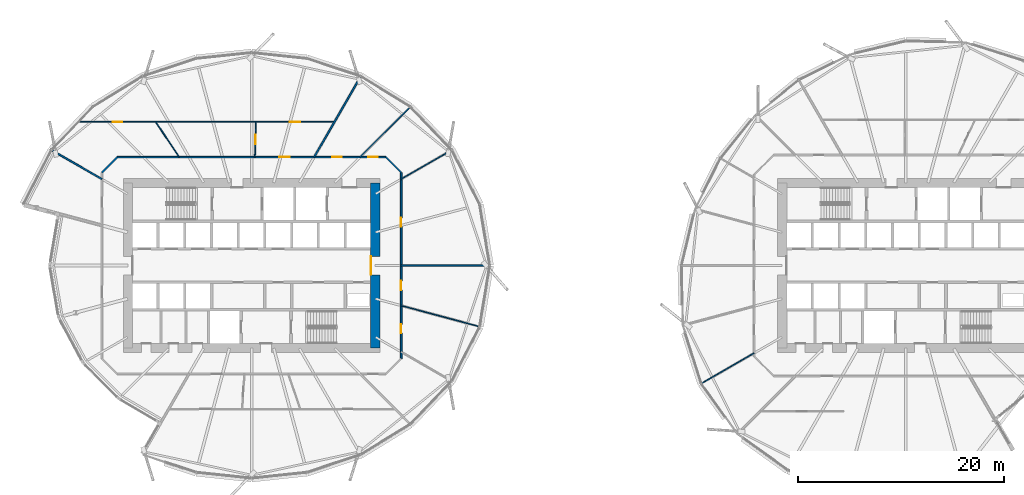
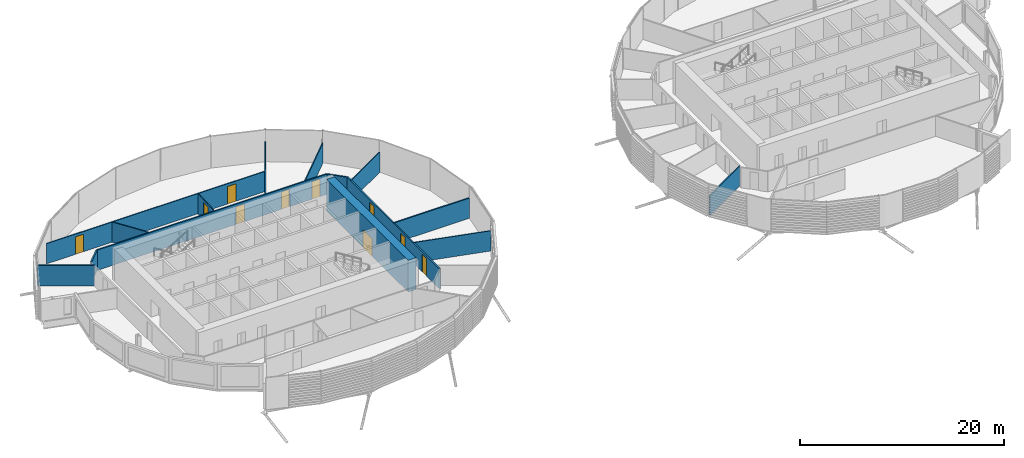
# One storey, part 23 of 37: 15 walls, 10 doors, 10 openings.
"""IFC4 building model written with IfcOpenShell, lengths in metres."""

import ifcopenshell
import ifcopenshell.guid

model = None  # the IFC model being written
_history = None  # IfcOwnerHistory: only IFC2X3 demands one
_inside = {}  # id of a spatial element -> (the spatial element, [elements in it])
_under = {}  # id of a project, library or spatial element -> (it, [spatial elements below it])
_declared = {}  # id of a project -> (the project, [libraries it declares])
_typed = {}  # id of a type object -> (the type object, [elements of that type])
_made_of = {}  # id of a material, layer set ... -> (it, [elements and type objects made of it])


def new_model(schema):
    """Start an empty IFC model of exactly this schema.

    Asked for "IFC4X3", IfcOpenShell would pick the latest addendum, in which some entities
    have other attributes; the version numbers below select the first issue.
    IFC2X3 requires an IfcOwnerHistory on every rooted entity: one is made here for all.
    """
    global model, _history
    if schema == "IFC4X3":
        model = ifcopenshell.file(schema_version=(4, 3, 0, 0))
    else:
        model = ifcopenshell.file(schema=schema)
    _inside.clear()
    _under.clear()
    _declared.clear()
    _typed.clear()
    _made_of.clear()
    _history = None
    if model.schema == "IFC2X3":
        org = make("IfcOrganization", Name="unknown")
        user = make(
            "IfcPersonAndOrganization",
            ThePerson=make("IfcPerson", FamilyName="unknown"),
            TheOrganization=org,
        )
        app = make(
            "IfcApplication",
            ApplicationDeveloper=org,
            Version="unknown",
            ApplicationFullName="unknown",
            ApplicationIdentifier="unknown",
        )
        _history = make(
            "IfcOwnerHistory",
            OwningUser=user,
            OwningApplication=app,
            ChangeAction="ADDED",
            CreationDate=0,
        )
    return model


def make(cls, **values):
    """One entity of the class cls with the attributes given. An attribute that is None is left unset."""
    return model.create_entity(
        cls, **{name: value for name, value in values.items() if value is not None}
    )


def rooted(cls, **values):
    """An entity with a GlobalId (a new one), such as an element, a storey or a relation."""
    return make(cls, GlobalId=ifcopenshell.guid.new(), OwnerHistory=_history, **values)


def si_unit(unit_type, name, prefix=None):
    """IfcSIUnit, for example si_unit("LENGTHUNIT", "METRE", prefix="MILLI")."""
    return make("IfcSIUnit", UnitType=unit_type, Prefix=prefix, Name=name)


def assignment(units):
    """IfcUnitAssignment: the units of a project."""
    return None if units is None else make("IfcUnitAssignment", Units=units)


def point(xyz):
    """IfcCartesianPoint."""
    return None if xyz is None else make("IfcCartesianPoint", Coordinates=xyz)


def direction(xyz):
    """IfcDirection."""
    return None if xyz is None else make("IfcDirection", DirectionRatios=xyz)


def frame(location, z_axis=None, x_axis=None):
    """IfcAxis2Placement3D, a coordinate frame: its origin and axes. An axis left out is left unset."""
    return make(
        "IfcAxis2Placement3D",
        Location=point(location),
        Axis=direction(z_axis),
        RefDirection=direction(x_axis),
    )


def frame_2d(location, x_axis=None):
    """IfcAxis2Placement2D, a coordinate frame in the plane: its origin and x axis."""
    return make(
        "IfcAxis2Placement2D", Location=point(location), RefDirection=direction(x_axis)
    )


def origin():
    """The frame at (0, 0, 0) with its axes left unset."""
    return frame((0.0, 0.0, 0.0))


def place(relative_to, where):
    """IfcLocalPlacement: puts the frame where relative to a parent placement (None: the world)."""
    return make(
        "IfcLocalPlacement", PlacementRelTo=relative_to, RelativePlacement=where
    )


def context(
    kind, dimensions, precision=None, world=None, true_north=None, identifier=None
):
    """IfcGeometricRepresentationContext, for example the 3D "Model" context."""
    return make(
        "IfcGeometricRepresentationContext",
        ContextIdentifier=identifier,
        ContextType=kind,
        CoordinateSpaceDimension=dimensions,
        Precision=precision,
        WorldCoordinateSystem=world,
        TrueNorth=true_north,
    )


def subcontext(parent, identifier, kind, view, scale=None):
    """IfcGeometricRepresentationSubContext, for example "Body" below "Model"."""
    return make(
        "IfcGeometricRepresentationSubContext",
        ContextIdentifier=identifier,
        ContextType=kind,
        ParentContext=parent,
        TargetScale=scale,
        TargetView=view,
    )


def project(units=None, contexts=None):
    """IfcProject with its units and contexts."""
    return rooted(
        "IfcProject",
        Name="project",
        RepresentationContexts=contexts,
        UnitsInContext=assignment(units),
    )


def spatial(cls, under=None, at=None, **own):
    """A site, building, storey or space (cls), placed at a placement, below another one or the project."""
    s = rooted(cls, ObjectPlacement=at, **own)
    if under is not None:
        _under.setdefault(under.id(), (under, []))[1].append(s)
    return s


def profile(cls, at=None, kind="AREA", **sizes):
    """A parametric profile (cls). Its sizes go by their IFC names, for example OverallWidth=200.0."""
    return make(cls, ProfileType=kind, Position=at, **sizes)


def rectangle(**sizes):
    """IfcRectangleProfileDef."""
    return profile("IfcRectangleProfileDef", **sizes)


def extrude(swept, where, along, depth):
    """IfcExtrudedAreaSolid: the profile swept, set in the frame where, extruded along a direction by depth."""
    return make(
        "IfcExtrudedAreaSolid",
        SweptArea=swept,
        Position=where,
        ExtrudedDirection=direction(along),
        Depth=depth,
    )


def shape(context_of_items, identifier, shape_type, items):
    """IfcShapeRepresentation: the items that make up one representation, for example the "Body"."""
    return make(
        "IfcShapeRepresentation",
        ContextOfItems=context_of_items,
        RepresentationIdentifier=identifier,
        RepresentationType=shape_type,
        Items=items,
    )


def material(Name=None, Category=None):
    """IfcMaterial."""
    return make("IfcMaterial", Name=Name, Category=Category)


def layer(
    of_material, thickness, ventilated=None, Name=None, Category=None, Priority=None
):
    """IfcMaterialLayer: one layer of a wall or slab, of a material (None: an air gap)."""
    return make(
        "IfcMaterialLayer",
        Material=of_material,
        LayerThickness=thickness,
        IsVentilated=ventilated,
        Name=Name,
        Category=Category,
        Priority=Priority,
    )


def layer_set(layers, Name=None):
    """IfcMaterialLayerSet."""
    return make("IfcMaterialLayerSet", MaterialLayers=layers, LayerSetName=Name)


def made_of(thing, what):
    """Note that an element or type object is made of a material, layer set ...; save() writes the relation."""
    if what is not None:
        _made_of.setdefault(what.id(), (what, []))[1].append(thing)
    return thing


def type_object(cls, material=None, **own):
    """A type object (cls), such as IfcWallType, which elements share."""
    return made_of(rooted(cls, **own), material)


def element(
    cls,
    number,
    at=None,
    inside=None,
    cuts=None,
    type_object=None,
    material=None,
    context=None,
    identifier="Body",
    shape_type=None,
    held_by="IfcProductDefinitionShape",
    body=None,
    shapes=None,
    **own,
):
    """One element of the class cls, such as IfcWall. Its Tag is "e" and its number.

    at: its placement. inside: the storey or other place that contains it. cuts: it is an
    opening in that element (IfcRelVoidsElement). A single representation is given by context,
    identifier, shape_type and body (its items); several are given by shapes. held_by: the class
    of the entity that holds the representations. save() writes the other relations.
    """
    e = rooted(cls, Tag="e%d" % number, ObjectPlacement=at, **own)
    if body is not None:
        shapes = [shape(context, identifier, shape_type, body)]
    if shapes is not None:
        e.Representation = make(held_by, Representations=shapes)
    if inside is not None:
        _inside.setdefault(inside.id(), (inside, []))[1].append(e)
    if cuts is not None:
        rooted(
            "IfcRelVoidsElement", RelatingBuildingElement=cuts, RelatedOpeningElement=e
        )
    if type_object is not None:
        _typed.setdefault(type_object.id(), (type_object, []))[1].append(e)
    return made_of(e, material)


def fill(opening, filler):
    """IfcRelFillsElement: the door or window that sits in an opening."""
    return rooted(
        "IfcRelFillsElement",
        RelatingOpeningElement=opening,
        RelatedBuildingElement=filler,
    )


def aggregate(whole, parts):
    """IfcRelAggregates: a whole, such as a stair, and the parts it consists of."""
    return rooted("IfcRelAggregates", RelatingObject=whole, RelatedObjects=parts)


def save(model, path):
    """Write the relations noted so far, then the file.

    IfcRelAggregates (storeys below a building ...), IfcRelContainedInSpatialStructure (elements
    in a storey), IfcRelDefinesByType, IfcRelAssociatesMaterial and IfcRelDeclares: one each for
    every whole, place, type object, material and project.
    """
    for whole, parts in _under.values():
        aggregate(whole, parts)
    for where, things in _inside.values():
        rooted(
            "IfcRelContainedInSpatialStructure",
            RelatedElements=things,
            RelatingStructure=where,
        )
    for kind, things in _typed.values():
        rooted("IfcRelDefinesByType", RelatedObjects=things, RelatingType=kind)
    for what, things in _made_of.values():
        rooted("IfcRelAssociatesMaterial", RelatedObjects=things, RelatingMaterial=what)
    for by, libraries in _declared.values():
        rooted("IfcRelDeclares", RelatingContext=by, RelatedDefinitions=libraries)
    model.write(path)


model = new_model("IFC4")

# Units and contexts
model_context = context("Model", 3, precision=1e-05, world=origin(), true_north=direction((0.0, 1.0)))
body_context = subcontext(model_context, "Body", "Model", "MODEL_VIEW")
ifc_project = project(units=[si_unit("LENGTHUNIT", "METRE"), si_unit("AREAUNIT", "SQUARE_METRE"), si_unit("VOLUMEUNIT", "CUBIC_METRE"), si_unit("PLANEANGLEUNIT", "RADIAN"), si_unit("MASSUNIT", "GRAM", prefix="KILO")], contexts=[model_context])

# Site, building, storey
site_placement = place(None, origin())
site = spatial("IfcSite", under=ifc_project, at=site_placement, CompositionType="ELEMENT")
building_placement = place(site_placement, origin())
building = spatial("IfcBuilding", under=site, at=building_placement, Name="Rimbun Link Towers", CompositionType="ELEMENT")
storey_placement = place(building_placement, frame((0.0, 0.0, 60.39990234375)))
storey = spatial("IfcBuildingStorey", under=building, at=storey_placement, Name="L14", CompositionType="ELEMENT", Elevation=60.39990234375)

# Wall, opening, door
ifc_material_1 = material(Name="Concrete C60/75", Category="concrete")
ifc_layer_1 = layer(ifc_material_1, 0.89990234375)
ifc_layer_set_1 = layer_set([ifc_layer_1], Name="Core shear wall 900")
wall_type_1 = type_object("IfcWallType", Name="Core shear wall 900", PredefinedType="SHEAR", material=ifc_layer_set_1)
wall_1_placement = place(storey_placement, frame((-19.75, -8.0, 0.0), z_axis=(0.0, 0.0, 1.0), x_axis=(0.0, 1.0, 0.0)))
wall_1 = element("IfcWall", 1, at=wall_1_placement, inside=storey, type_object=wall_type_1, Name="L14 T1 core wall E", PredefinedType="SHEAR", context=body_context, shape_type="SweptSolid", body=[
    extrude(rectangle(XDim=16.0, YDim=0.89990234375, at=frame_2d((8.0, 0.0))), origin(), (0.0, 0.0, 1.0), 3.800048828125),
])
opening_1_placement = place(wall_1_placement, frame((7.10009765625, 0.0, 0.0)))
opening_1 = element("IfcOpeningElement", 2, at=opening_1_placement, cuts=wall_1, Name="Opening C1DCL01E", PredefinedType="OPENING", context=body_context, shape_type="SweptSolid", body=[
    extrude(rectangle(XDim=1.800048828125, YDim=2.10009765625, at=frame_2d((0.89990234375, 1.050048828125))), frame((0.0, 0.4599609375, 0.0), z_axis=(0.0, -1.0, 0.0), x_axis=(1.0, 0.0, 0.0)), (0.0, 0.0, 1.0), 0.919921875),
])
ifc_material_2 = material(Name="Steel fire door set", Category="steel")
door_type_1 = type_object("IfcDoorType", Name="Core lobby door double", OperationType="DOUBLE_DOOR_SINGLE_SWING", PredefinedType="DOOR", material=ifc_material_2)
door_1_placement = place(opening_1_placement, origin())
door_1 = element("IfcDoor", 3, at=door_1_placement, inside=storey, type_object=door_type_1, Name="L14 T1 lift lobby door", OperationType="DOUBLE_DOOR_SINGLE_SWING", OverallHeight=2.10009765625, OverallWidth=1.800048828125, PredefinedType="DOOR", context=body_context, shape_type="SweptSolid", body=[
    extrude(rectangle(XDim=1.800048828125, YDim=2.10009765625, at=frame_2d((0.89990234375, 1.050048828125))), frame((0.0, 0.4501953125, 0.0), z_axis=(0.0, -1.0, 0.0), x_axis=(1.0, 0.0, 0.0)), (0.0, 0.0, 1.0), 0.050048828125),
])
fill(opening_1, door_1)

# Wall, openings, doors
ifc_material_3 = material(Name="Plasterboard on steel stud, mineral wool", Category="steel")
ifc_layer_2 = layer(ifc_material_3, 0.14990234375)
ifc_layer_set_2 = layer_set([ifc_layer_2], Name="Corridor wall EI 30 150 mm")
wall_type_2 = type_object("IfcWallType", Name="Corridor wall EI 30 150 mm", PredefinedType="PARTITIONING", material=ifc_layer_set_2)
wall_2_placement = place(storey_placement, frame((-44.776611328125, 10.52490234375, 0.0), z_axis=(0.0, 0.0, 1.0), x_axis=(1.0, 0.0, 0.0)))
wall_2 = element("IfcWall", 4, at=wall_2_placement, inside=storey, type_object=wall_type_2, Name="Corridor wall EI 30 150 mm", PredefinedType="PARTITIONING", context=body_context, shape_type="SweptSolid", body=[
    extrude(rectangle(XDim=26.05322265625, YDim=0.14990234375, at=frame_2d((13.026611328125, 0.0))), origin(), (0.0, 0.0, 1.0), 2.420166015625),
])
opening_2_placement = place(wall_2_placement, frame((24.3525390625, 0.0, 0.0)))
opening_2 = element("IfcOpeningElement", 5, at=opening_2_placement, cuts=wall_2, Name="Opening D02", PredefinedType="OPENING", context=body_context, shape_type="SweptSolid", body=[
    extrude(rectangle(XDim=0.89990234375, YDim=2.10009765625, at=frame_2d((0.449951171875, 1.050048828125))), frame((0.0, 0.0849609375, 0.0), z_axis=(0.0, -1.0, 0.0), x_axis=(1.0, 0.0, 0.0)), (0.0, 0.0, 1.0), 0.169921875),
])
opening_3_placement = place(wall_2_placement, frame((20.87744140625, 0.0, 0.0)))
opening_3 = element("IfcOpeningElement", 6, at=opening_3_placement, cuts=wall_2, Name="Opening D02", PredefinedType="OPENING", context=body_context, shape_type="SweptSolid", body=[
    extrude(rectangle(XDim=0.89990234375, YDim=2.10009765625, at=frame_2d((0.449951171875, 1.050048828125))), frame((0.0, 0.0849609375, 0.0), z_axis=(0.0, -1.0, 0.0), x_axis=(1.0, 0.0, 0.0)), (0.0, 0.0, 1.0), 0.169921875),
])
opening_4_placement = place(wall_2_placement, frame((15.727294921875, 0.0, 0.0)))
opening_4 = element("IfcOpeningElement", 7, at=opening_4_placement, cuts=wall_2, Name="Opening D01", PredefinedType="OPENING", context=body_context, shape_type="SweptSolid", body=[
    extrude(rectangle(XDim=1.0, YDim=2.10009765625, at=frame_2d((0.5, 1.050048828125))), frame((0.0, 0.0849609375, 0.0), z_axis=(0.0, -1.0, 0.0), x_axis=(1.0, 0.0, 0.0)), (0.0, 0.0, 1.0), 0.169921875),
])
ifc_material_4 = material(Name="Fire-resisting timber door leaf", Category="wood")
door_type_2 = type_object("IfcDoorType", Name="Fire door FD30S 1000", OperationType="NOTDEFINED", PredefinedType="DOOR", material=ifc_material_4)
door_2_placement = place(opening_4_placement, origin())
door_2 = element("IfcDoor", 8, at=door_2_placement, inside=storey, type_object=door_type_2, Name="Fire door FD30S 1000 to Reception", OperationType="SINGLE_SWING_RIGHT", OverallHeight=2.10009765625, OverallWidth=1.0, PredefinedType="DOOR", context=body_context, shape_type="SweptSolid", body=[
    extrude(rectangle(XDim=1.0, YDim=2.10009765625, at=frame_2d((0.5, 1.050048828125))), frame((0.0, 0.02490234375, 0.0), z_axis=(0.0, -1.0, 0.0), x_axis=(1.0, 0.0, 0.0)), (0.0, 0.0, 1.0), 0.050048828125),
])
fill(opening_4, door_2)
ifc_material_5 = material(Name="Fire-resisting timber door leaf", Category="wood")
door_type_3 = type_object("IfcDoorType", Name="Fire door FD30S 900", OperationType="NOTDEFINED", PredefinedType="DOOR", material=ifc_material_5)
door_3_placement = place(opening_2_placement, origin())
door_3 = element("IfcDoor", 9, at=door_3_placement, inside=storey, type_object=door_type_3, Name="Fire door FD30S 900 to Cellular office", OperationType="SINGLE_SWING_RIGHT", OverallHeight=2.10009765625, OverallWidth=0.89990234375, PredefinedType="DOOR", context=body_context, shape_type="SweptSolid", body=[
    extrude(rectangle(XDim=0.89990234375, YDim=2.10009765625, at=frame_2d((0.449951171875, 1.050048828125))), frame((0.0, 0.02490234375, 0.0), z_axis=(0.0, -1.0, 0.0), x_axis=(1.0, 0.0, 0.0)), (0.0, 0.0, 1.0), 0.050048828125),
])
fill(opening_2, door_3)
door_4_placement = place(opening_3_placement, origin())
door_4 = element("IfcDoor", 10, at=door_4_placement, inside=storey, type_object=door_type_3, Name="Fire door FD30S 900 to Meeting room", OperationType="SINGLE_SWING_LEFT", OverallHeight=2.10009765625, OverallWidth=0.89990234375, PredefinedType="DOOR", context=body_context, shape_type="SweptSolid", body=[
    extrude(rectangle(XDim=0.89990234375, YDim=2.10009765625, at=frame_2d((0.449951171875, 1.050048828125))), frame((0.0, 0.02490234375, 0.0), z_axis=(0.0, -1.0, 0.0), x_axis=(1.0, 0.0, 0.0)), (0.0, 0.0, 1.0), 0.050048828125),
])
fill(opening_3, door_4)

# Wall
wall_3_placement = place(storey_placement, frame((-17.22509765625, 9.026611328125, 0.0), z_axis=(0.0, 0.0, 1.0), x_axis=(-0.707106781187, 0.707106781187, 0.0)))
element("IfcWall", 11, at=wall_3_placement, inside=storey, type_object=wall_type_2, Name="Corridor wall EI 30 150 mm", PredefinedType="PARTITIONING", context=body_context, shape_type="SweptSolid", body=[
    extrude(rectangle(XDim=2.118896484375, YDim=0.14990234375, at=frame_2d((1.0595703125, 0.0))), origin(), (0.0, 0.0, 1.0), 2.420166015625),
])

# Wall, openings, doors
wall_4_placement = place(storey_placement, frame((-17.22509765625, 9.026611328125, 0.0), z_axis=(0.0, 0.0, 1.0), x_axis=(0.0, -1.0, 0.0)))
wall_4 = element("IfcWall", 12, at=wall_4_placement, inside=storey, type_object=wall_type_2, Name="Corridor wall EI 30 150 mm", PredefinedType="PARTITIONING", context=body_context, shape_type="SweptSolid", body=[
    extrude(rectangle(XDim=18.05322265625, YDim=0.14990234375, at=frame_2d((9.026611328125, 0.0))), origin(), (0.0, 0.0, 1.0), 2.420166015625),
])
opening_5_placement = place(wall_4_placement, frame((14.7158203125, 0.0, 0.0)))
opening_5 = element("IfcOpeningElement", 13, at=opening_5_placement, cuts=wall_4, Name="Opening D02", PredefinedType="OPENING", context=body_context, shape_type="SweptSolid", body=[
    extrude(rectangle(XDim=0.89990234375, YDim=2.10009765625, at=frame_2d((0.449951171875, 1.050048828125))), frame((0.0, 0.0849609375, 0.0), z_axis=(0.0, -1.0, 0.0), x_axis=(1.0, 0.0, 0.0)), (0.0, 0.0, 1.0), 0.169921875),
])
opening_6_placement = place(wall_4_placement, frame((10.522705078125, 0.0, 0.0)))
opening_6 = element("IfcOpeningElement", 14, at=opening_6_placement, cuts=wall_4, Name="Opening D02", PredefinedType="OPENING", context=body_context, shape_type="SweptSolid", body=[
    extrude(rectangle(XDim=0.89990234375, YDim=2.10009765625, at=frame_2d((0.449951171875, 1.050048828125))), frame((0.0, 0.0849609375, 0.0), z_axis=(0.0, -1.0, 0.0), x_axis=(1.0, 0.0, 0.0)), (0.0, 0.0, 1.0), 0.169921875),
])
opening_7_placement = place(wall_4_placement, frame((4.3837890625, 0.0, 0.0)))
opening_7 = element("IfcOpeningElement", 15, at=opening_7_placement, cuts=wall_4, Name="Opening D02", PredefinedType="OPENING", context=body_context, shape_type="SweptSolid", body=[
    extrude(rectangle(XDim=0.89990234375, YDim=2.10009765625, at=frame_2d((0.449951171875, 1.050048828125))), frame((0.0, 0.0849609375, 0.0), z_axis=(0.0, -1.0, 0.0), x_axis=(1.0, 0.0, 0.0)), (0.0, 0.0, 1.0), 0.169921875),
])
door_5_placement = place(opening_5_placement, origin())
door_5 = element("IfcDoor", 16, at=door_5_placement, inside=storey, type_object=door_type_3, Name="Fire door FD30S 900 to Meeting room", OperationType="SINGLE_SWING_LEFT", OverallHeight=2.10009765625, OverallWidth=0.89990234375, PredefinedType="DOOR", context=body_context, shape_type="SweptSolid", body=[
    extrude(rectangle(XDim=0.89990234375, YDim=2.10009765625, at=frame_2d((0.449951171875, 1.050048828125))), frame((0.0, 0.02490234375, 0.0), z_axis=(0.0, -1.0, 0.0), x_axis=(1.0, 0.0, 0.0)), (0.0, 0.0, 1.0), 0.050048828125),
])
fill(opening_5, door_5)
door_6_placement = place(opening_6_placement, origin())
door_6 = element("IfcDoor", 17, at=door_6_placement, inside=storey, type_object=door_type_3, Name="Fire door FD30S 900 to Meeting room", OperationType="SINGLE_SWING_RIGHT", OverallHeight=2.10009765625, OverallWidth=0.89990234375, PredefinedType="DOOR", context=body_context, shape_type="SweptSolid", body=[
    extrude(rectangle(XDim=0.89990234375, YDim=2.10009765625, at=frame_2d((0.449951171875, 1.050048828125))), frame((0.0, 0.02490234375, 0.0), z_axis=(0.0, -1.0, 0.0), x_axis=(1.0, 0.0, 0.0)), (0.0, 0.0, 1.0), 0.050048828125),
])
fill(opening_6, door_6)
door_7_placement = place(opening_7_placement, origin())
door_7 = element("IfcDoor", 18, at=door_7_placement, inside=storey, type_object=door_type_3, Name="Fire door FD30S 900 to Cellular office", OperationType="SINGLE_SWING_LEFT", OverallHeight=2.10009765625, OverallWidth=0.89990234375, PredefinedType="DOOR", context=body_context, shape_type="SweptSolid", body=[
    extrude(rectangle(XDim=0.89990234375, YDim=2.10009765625, at=frame_2d((0.449951171875, 1.050048828125))), frame((0.0, 0.02490234375, 0.0), z_axis=(0.0, -1.0, 0.0), x_axis=(1.0, 0.0, 0.0)), (0.0, 0.0, 1.0), 0.050048828125),
])
fill(opening_7, door_7)

# Walls
wall_5_placement = place(storey_placement, frame((-44.776611328125, 10.52490234375, 0.0), z_axis=(0.0, 0.0, 1.0), x_axis=(-0.707106781187, -0.707106781187, 0.0)))
element("IfcWall", 19, at=wall_5_placement, inside=storey, type_object=wall_type_2, Name="Corridor wall EI 30 150 mm", PredefinedType="PARTITIONING", context=body_context, shape_type="SweptSolid", body=[
    extrude(rectangle(XDim=2.118896484375, YDim=0.14990234375, at=frame_2d((1.0595703125, 0.0))), origin(), (0.0, 0.0, 1.0), 2.420166015625),
])
ifc_material_6 = material(Name="Plasterboard on steel stud", Category="steel")
ifc_layer_3 = layer(ifc_material_6, 0.10009765625)
ifc_layer_set_3 = layer_set([ifc_layer_3], Name="Plasterboard partition 100 mm")
wall_type_3 = type_object("IfcWallType", Name="Plasterboard partition 100 mm", PredefinedType="PARTITIONING", material=ifc_layer_set_3)
wall_6_placement = place(storey_placement, frame((-9.652587890625, -5.9208984375, 0.0), z_axis=(0.0, 0.0, 1.0), x_axis=(-0.965933456467, 0.258790567213, 0.0)))
element("IfcWall", 20, at=wall_6_placement, inside=storey, type_object=wall_type_3, Name="Plasterboard partition 100 mm", PredefinedType="PARTITIONING", context=body_context, shape_type="SweptSolid", body=[
    extrude(rectangle(XDim=7.839599609375, YDim=0.10009765625, at=frame_2d((3.919921875, 0.0))), origin(), (0.0, 0.0, 1.0), 2.420166015625),
])
wall_7_placement = place(storey_placement, frame((-12.37646484375, 11.185302734375, 0.0), z_axis=(0.0, 0.0, 1.0), x_axis=(-0.866028733576, -0.499994232587, 0.0)))
element("IfcWall", 21, at=wall_7_placement, inside=storey, type_object=wall_type_3, Name="Plasterboard partition 100 mm", PredefinedType="PARTITIONING", context=body_context, shape_type="SweptSolid", body=[
    extrude(rectangle(XDim=5.5986328125, YDim=0.10009765625, at=frame_2d((2.79931640625, 0.0))), origin(), (0.0, 0.0, 1.0), 2.420166015625),
])
wall_8_placement = place(storey_placement, frame((-16.384521484375, 15.365478515625, 0.0), z_axis=(0.0, 0.0, 1.0), x_axis=(-0.707106781187, -0.707106781187, 0.0)))
element("IfcWall", 22, at=wall_8_placement, inside=storey, type_object=wall_type_3, Name="Plasterboard partition 100 mm", PredefinedType="PARTITIONING", context=body_context, shape_type="SweptSolid", body=[
    extrude(rectangle(XDim=6.845703125, YDim=0.10009765625, at=frame_2d((3.4228515625, 0.0))), origin(), (0.0, 0.0, 1.0), 2.420166015625),
])

# Wall, opening, door
wall_9_placement = place(storey_placement, frame((-31.425537109375, 10.52490234375, 0.0), z_axis=(0.0, 0.0, 1.0), x_axis=(0.030751385874, 0.999527064299, 0.0)))
wall_9 = element("IfcWall", 23, at=wall_9_placement, inside=storey, type_object=wall_type_3, Name="Plasterboard partition 100 mm", PredefinedType="PARTITIONING", context=body_context, shape_type="SweptSolid", body=[
    extrude(rectangle(XDim=3.421875, YDim=0.10009765625, at=frame_2d((1.7109375, 0.0))), origin(), (0.0, 0.0, 1.0), 2.420166015625),
])
opening_8_placement = place(wall_9_placement, frame((1.2607421875, 0.0, 0.0)))
opening_8 = element("IfcOpeningElement", 24, at=opening_8_placement, cuts=wall_9, Name="Opening D04", PredefinedType="OPENING", context=body_context, shape_type="SweptSolid", body=[
    extrude(rectangle(XDim=0.89990234375, YDim=2.10009765625, at=frame_2d((0.449951171875, 1.050048828125))), frame((0.0, 0.06005859375, 0.0), z_axis=(0.0, -1.0, 0.0), x_axis=(1.0, 0.0, 0.0)), (0.0, 0.0, 1.0), 0.1201171875),
])
ifc_material_7 = material(Name="Timber door leaf", Category="wood")
door_type_4 = type_object("IfcDoorType", Name="Flush door 900", OperationType="NOTDEFINED", PredefinedType="DOOR", material=ifc_material_7)
door_8_placement = place(opening_8_placement, origin())
door_8 = element("IfcDoor", 25, at=door_8_placement, inside=storey, type_object=door_type_4, Name="Flush door 900 to Meeting room", OperationType="SINGLE_SWING_LEFT", OverallHeight=2.10009765625, OverallWidth=0.89990234375, PredefinedType="DOOR", context=body_context, shape_type="SweptSolid", body=[
    extrude(rectangle(XDim=0.89990234375, YDim=2.10009765625, at=frame_2d((0.449951171875, 1.050048828125))), frame((0.0, 0.02490234375, 0.0), z_axis=(0.0, -1.0, 0.0), x_axis=(1.0, 0.0, 0.0)), (0.0, 0.0, 1.0), 0.050048828125),
])
fill(opening_8, door_8)

# Wall, openings, doors
wall_10_placement = place(storey_placement, frame((-48.4775390625, 13.945068359375, 0.0), z_axis=(0.0, 0.0, 1.0), x_axis=(1.0, 0.0, 0.0)))
wall_10 = element("IfcWall", 26, at=wall_10_placement, inside=storey, type_object=wall_type_3, Name="Plasterboard partition 100 mm", PredefinedType="PARTITIONING", context=body_context, shape_type="SweptSolid", body=[
    extrude(rectangle(XDim=24.77880859375, YDim=0.10009765625, at=frame_2d((12.389404296875, 0.0))), origin(), (0.0, 0.0, 1.0), 2.420166015625),
])
opening_9_placement = place(wall_10_placement, frame((20.453125, 0.0, 0.0)))
opening_9 = element("IfcOpeningElement", 27, at=opening_9_placement, cuts=wall_10, Name="Opening D03", PredefinedType="OPENING", context=body_context, shape_type="SweptSolid", body=[
    extrude(rectangle(XDim=1.0, YDim=2.10009765625, at=frame_2d((0.5, 1.050048828125))), frame((0.0, 0.06005859375, 0.0), z_axis=(0.0, -1.0, 0.0), x_axis=(1.0, 0.0, 0.0)), (0.0, 0.0, 1.0), 0.1201171875),
])
opening_10_placement = place(wall_10_placement, frame((3.258544921875, 0.0, 0.0)))
opening_10 = element("IfcOpeningElement", 28, at=opening_10_placement, cuts=wall_10, Name="Opening D04", PredefinedType="OPENING", context=body_context, shape_type="SweptSolid", body=[
    extrude(rectangle(XDim=0.89990234375, YDim=2.10009765625, at=frame_2d((0.449951171875, 1.050048828125))), frame((0.0, 0.06005859375, 0.0), z_axis=(0.0, -1.0, 0.0), x_axis=(1.0, 0.0, 0.0)), (0.0, 0.0, 1.0), 0.1201171875),
])
ifc_material_8 = material(Name="Timber door leaf", Category="wood")
door_type_5 = type_object("IfcDoorType", Name="Flush door 1000", OperationType="NOTDEFINED", PredefinedType="DOOR", material=ifc_material_8)
door_9_placement = place(opening_9_placement, origin())
door_9 = element("IfcDoor", 29, at=door_9_placement, inside=storey, type_object=door_type_5, Name="Flush door 1000 to Open office", OperationType="SINGLE_SWING_RIGHT", OverallHeight=2.10009765625, OverallWidth=1.0, PredefinedType="DOOR", context=body_context, shape_type="SweptSolid", body=[
    extrude(rectangle(XDim=1.0, YDim=2.10009765625, at=frame_2d((0.5, 1.050048828125))), frame((0.0, 0.02490234375, 0.0), z_axis=(0.0, -1.0, 0.0), x_axis=(1.0, 0.0, 0.0)), (0.0, 0.0, 1.0), 0.050048828125),
])
fill(opening_9, door_9)
door_10_placement = place(opening_10_placement, origin())
door_10 = element("IfcDoor", 30, at=door_10_placement, inside=storey, type_object=door_type_4, Name="Flush door 900 to Print room", OperationType="SINGLE_SWING_RIGHT", OverallHeight=2.10009765625, OverallWidth=0.89990234375, PredefinedType="DOOR", context=body_context, shape_type="SweptSolid", body=[
    extrude(rectangle(XDim=0.89990234375, YDim=2.10009765625, at=frame_2d((0.449951171875, 1.050048828125))), frame((0.0, 0.02490234375, 0.0), z_axis=(0.0, -1.0, 0.0), x_axis=(1.0, 0.0, 0.0)), (0.0, 0.0, 1.0), 0.050048828125),
])
fill(opening_10, door_10)

# Walls
wall_11_placement = place(storey_placement, frame((-41.060302734375, 13.945068359375, 0.0), z_axis=(0.0, 0.0, 1.0), x_axis=(0.555220709809, -0.831703050012, 0.0)))
element("IfcWall", 31, at=wall_11_placement, inside=storey, type_object=wall_type_3, Name="Plasterboard partition 100 mm", PredefinedType="PARTITIONING", context=body_context, shape_type="SweptSolid", body=[
    extrude(rectangle(XDim=4.1123046875, YDim=0.10009765625, at=frame_2d((2.05615234375, 0.0))), origin(), (0.0, 0.0, 1.0), 2.420166015625),
])
wall_12_placement = place(storey_placement, frame((11.93798828125, -11.4384765625, 0.0), z_axis=(0.0, 0.0, 1.0), x_axis=(0.866019468283, 0.500010280449, 0.0)))
element("IfcWall", 32, at=wall_12_placement, inside=storey, type_object=wall_type_3, Name="Plasterboard partition 100 mm", PredefinedType="PARTITIONING", context=body_context, shape_type="SweptSolid", body=[
    extrude(rectangle(XDim=5.8740234375, YDim=0.10009765625, at=frame_2d((2.93701171875, 0.0))), origin(), (0.0, 0.0, 1.0), 2.420166015625),
])
ifc_material_9 = material(Name="Plasterboard on steel stud, mineral wool", Category="steel")
ifc_layer_4 = layer(ifc_material_9, 0.14990234375)
ifc_layer_set_4 = layer_set([ifc_layer_4], Name="Tenancy separation wall EI 60 150 mm")
wall_type_4 = type_object("IfcWallType", Name="Tenancy separation wall EI 60 150 mm", PredefinedType="PARTITIONING", material=ifc_layer_set_4)
wall_13_placement = place(storey_placement, frame((-17.22509765625, 0.0, 0.0), z_axis=(0.0, 0.0, 1.0), x_axis=(1.0, 0.0, 0.0)))
element("IfcWall", 33, at=wall_13_placement, inside=storey, type_object=wall_type_4, Name="Tenancy separation wall EI 60 150 mm", PredefinedType="PARTITIONING", context=body_context, shape_type="SweptSolid", body=[
    extrude(rectangle(XDim=8.546142578125, YDim=0.14990234375, at=frame_2d((4.27294921875, 0.0))), origin(), (0.0, 0.0, 1.0), 2.420166015625),
])
wall_14_placement = place(storey_placement, frame((-25.67333984375, 10.52490234375, 0.0), z_axis=(0.0, 0.0, 1.0), x_axis=(0.499992041701, 0.866029998462, 0.0)))
element("IfcWall", 34, at=wall_14_placement, inside=storey, type_object=wall_type_4, Name="Tenancy separation wall EI 60 150 mm", PredefinedType="PARTITIONING", context=body_context, shape_type="SweptSolid", body=[
    extrude(rectangle(XDim=8.989013671875, YDim=0.14990234375, at=frame_2d((4.49462890625, 0.0))), origin(), (0.0, 0.0, 1.0), 2.420166015625),
])
wall_15_placement = place(storey_placement, frame((-46.27490234375, 8.385986328125, 0.0), z_axis=(0.0, 0.0, 1.0), x_axis=(-0.866028733576, 0.499994232587, 0.0)))
element("IfcWall", 35, at=wall_15_placement, inside=storey, type_object=wall_type_4, Name="Tenancy separation wall EI 60 150 mm", PredefinedType="PARTITIONING", context=body_context, shape_type="SweptSolid", body=[
    extrude(rectangle(XDim=5.5986328125, YDim=0.14990234375, at=frame_2d((2.79931640625, 0.0))), origin(), (0.0, 0.0, 1.0), 2.420166015625),
])

save(model, "model.ifc")
